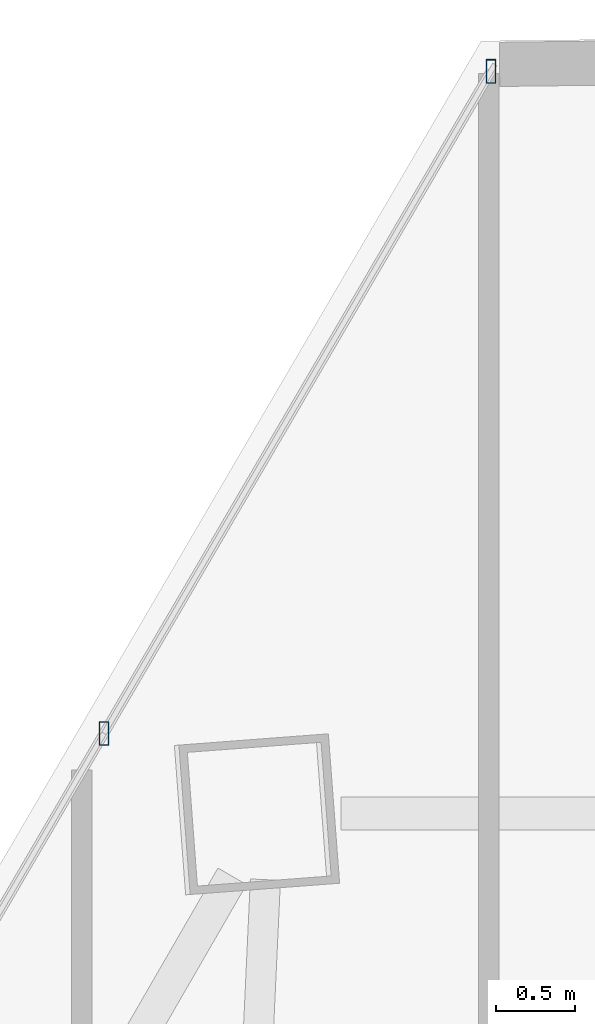
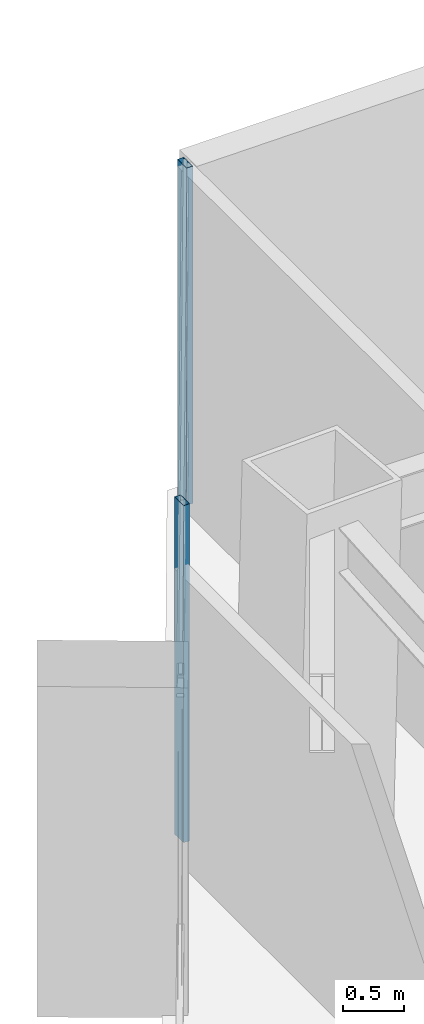
# One storey, part 28 of 42: 2 members, 1 element without a shape of its own.
"""IFC4 building model written with IfcOpenShell, lengths in metres."""

from ifc_helpers import new_model, si_unit, direction, frame, origin, origin_2d, place, context, subcontext, project, spatial, hollow_rectangle, extrude, source, transform, mapped, material, material_profile, profile_set, type_object, type_shapes, element, aggregate, save


model = new_model("IFC4")

# Units and contexts
model_context = context("Model", 3, precision=1e-05, world=origin(), true_north=direction((0.0, 1.0)))
body_context = subcontext(model_context, "Body", "Model", "MODEL_VIEW")
ifc_project = project(units=[si_unit("LENGTHUNIT", "METRE"), si_unit("AREAUNIT", "SQUARE_METRE"), si_unit("VOLUMEUNIT", "CUBIC_METRE"), si_unit("PLANEANGLEUNIT", "RADIAN"), si_unit("MASSUNIT", "GRAM", prefix="KILO")], contexts=[model_context])

# Site, building, storey
site_placement = place(None, origin())
site = spatial("IfcSite", under=ifc_project, at=site_placement, CompositionType="ELEMENT")
building_placement = place(site_placement, origin())
building = spatial("IfcBuilding", under=site, at=building_placement, Name="Caelisora Broadcast Tower", CompositionType="ELEMENT")
storey_placement = place(building_placement, frame((0.0, 0.0, 131.800048828125)))
storey = spatial("IfcBuildingStorey", under=building, at=storey_placement, Name="L34", CompositionType="ELEMENT", Elevation=131.800048828125)

# Curtain wall, members
ifc_material_1 = material(Name="Unitised Aluminium and Low-E Glass Curtain Wall", Category="glass")
curtain_wall_type = type_object("IfcCurtainWallType", Name="CW-Z3", PredefinedType="NOTDEFINED", material=ifc_material_1)
curtain_wall_placement = place(storey_placement, origin())
curtain_wall = element("IfcCurtainWall", 1, at=curtain_wall_placement, inside=storey, type_object=curtain_wall_type, Name="L34 curtain wall CW-Z3", PredefinedType="NOTDEFINED")
ifc_material_2 = material(Name="Aluminium 6063-T6 Anodised Terracotta Bronze", Category="aluminium")
ifc_material_profile = material_profile(ifc_material_2, hollow_rectangle(XDim=0.06005859375, YDim=0.14990234375, WallThickness=0.00341796875, at=origin_2d()), Name="Aluminium 6063-T6 Anodised Terracotta Bronze")
ifc_profile_set = profile_set([ifc_material_profile], Name="Aluminium 6063-T6 Anodised Terracotta Bronze")
member_type = type_object("IfcMemberType", Name="CWM-03", PredefinedType="MULLION", material=ifc_profile_set)
shared_shape = source(origin(), body_context, "Body", "SweptSolid", [
    extrude(hollow_rectangle(XDim=0.06005859375, YDim=0.14990234375, WallThickness=0.00341796875, at=origin_2d()), origin(), (0.0, 0.0, 1.0), 3.39990234375),
])
type_shapes(member_type, [shared_shape])
member_1_placement = place(storey_placement, frame((30.22216796875, 46.9697265625, 0.0), z_axis=(0.0, 0.0, 1.0), x_axis=(1.0, 0.0, 0.0)))
member_1 = element("IfcMember", 2, at=member_1_placement, type_object=member_type, Name="L34-CW-B11 mullion #2", PredefinedType="MULLION", context=body_context, shape_type="MappedRepresentation", body=[
    mapped(shared_shape, transform((0.0, 0.0, 0.0), scale=1.0)),
])
member_2_placement = place(storey_placement, frame((32.6748046875, 51.166748046875, 0.0), z_axis=(0.0, 0.0, 1.0), x_axis=(1.0, 0.0, 0.0)))
member_2 = element("IfcMember", 3, at=member_2_placement, type_object=member_type, Name="L34-CW-B11 mullion #3", PredefinedType="MULLION", context=body_context, shape_type="MappedRepresentation", body=[
    mapped(shared_shape, transform((0.0, 0.0, 0.0), scale=1.0)),
])
aggregate(curtain_wall, [member_1, member_2])

save(model, "model.ifc")
